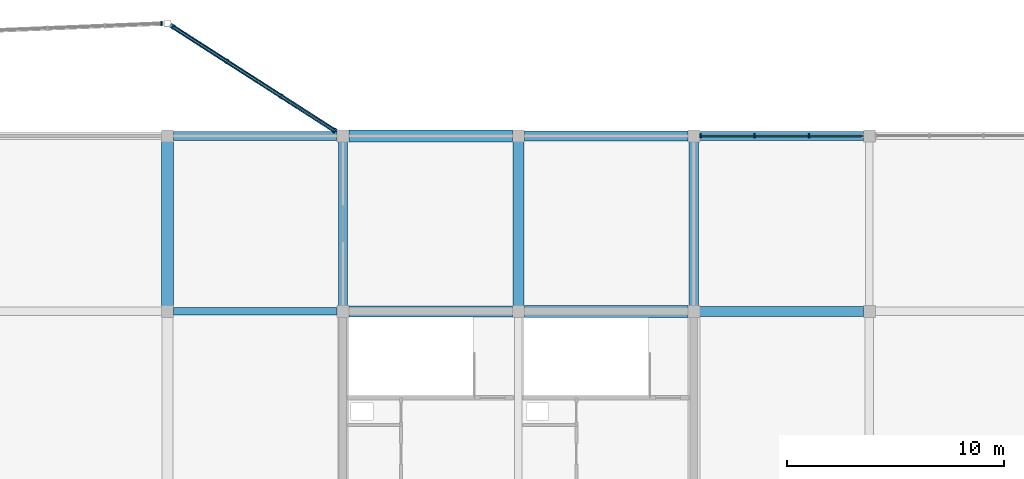
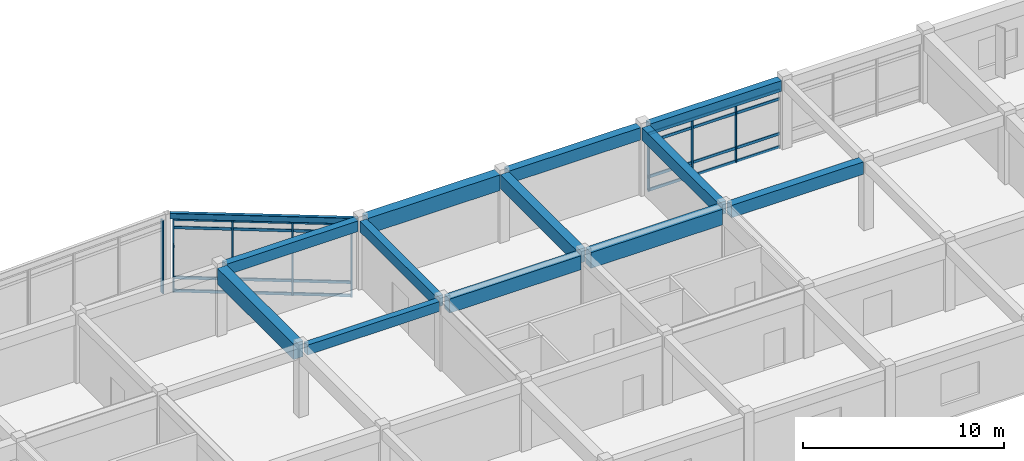
# One storey, part 12 of 40: 16 members, 13 beams, 3 elements without a shape of their own.
"""IFC4 building model written with IfcOpenShell, lengths in metres."""

from ifc_helpers import new_model, si_unit, direction, frame, origin, origin_2d, place, context, subcontext, project, spatial, rectangle, hollow_rectangle, extrude, material, layer, layer_set, material_profile, profile_set, type_object, element, aggregate, save


model = new_model("IFC4")

# Units and contexts
model_context = context("Model", 3, precision=1e-05, world=origin(), true_north=direction((0.0, 1.0)))
body_context = subcontext(model_context, "Body", "Model", "MODEL_VIEW")
ifc_project = project(units=[si_unit("LENGTHUNIT", "METRE"), si_unit("AREAUNIT", "SQUARE_METRE"), si_unit("VOLUMEUNIT", "CUBIC_METRE"), si_unit("PLANEANGLEUNIT", "RADIAN"), si_unit("MASSUNIT", "GRAM", prefix="KILO")], contexts=[model_context])

# Site, building, storey
site_placement = place(None, origin())
site = spatial("IfcSite", under=ifc_project, at=site_placement, CompositionType="ELEMENT")
building_placement = place(site_placement, origin())
building = spatial("IfcBuilding", under=site, at=building_placement, Name="Vaudrelin Polytechnic", CompositionType="ELEMENT")
storey_placement = place(building_placement, frame((0.0, 0.0, 22.949951171875)))
storey = spatial("IfcBuildingStorey", under=building, at=storey_placement, Name="L05", CompositionType="ELEMENT", Elevation=22.949951171875)

# Beams
ifc_material_1 = material(Name="Concrete 40 MPa", Category="concrete")
ifc_material_profile_1 = material_profile(ifc_material_1, rectangle(XDim=0.35009765625, YDim=0.60009765625, at=origin_2d()), Name="RC350x600")
ifc_profile_set_1 = profile_set([ifc_material_profile_1], Name="Concrete 40 MPa")
beam_type_1 = type_object("IfcBeamType", Name="BM-BM-RC3560", PredefinedType="BEAM", material=ifc_profile_set_1)
beam_1_placement = place(storey_placement, frame((97.470947265625, 113.39990234375, 3.860107421875), z_axis=(1.0, 0.0, 0.0), x_axis=(0.0, 1.0, 0.0)))
element("IfcBeam", 1, at=beam_1_placement, inside=storey, type_object=beam_type_1, Name="L05 X-beam 13-15", PredefinedType="BEAM", context=body_context, shape_type="SweptSolid", body=[
    extrude(rectangle(XDim=0.35009765625, YDim=0.60009765625, at=origin_2d()), origin(), (0.0, 0.0, 1.0), 7.55810546875),
])
ifc_material_profile_2 = material_profile(ifc_material_1, rectangle(XDim=0.39990234375, YDim=0.64990234375, at=origin_2d()), Name="RC400x650")
ifc_profile_set_2 = profile_set([ifc_material_profile_2], Name="Concrete 40 MPa")
beam_type_2 = type_object("IfcBeamType", Name="BM-BM-RC4065", PredefinedType="BEAM", material=ifc_profile_set_2)
beam_2_placement = place(storey_placement, frame((105.300048828125, 113.659912109375, 3.8349609375), z_axis=(0.0, 1.0, 0.0), x_axis=(-1.0, 0.0, 0.0)))
element("IfcBeam", 2, at=beam_2_placement, inside=storey, type_object=beam_type_2, Name="L05 Y-beam 14-15", PredefinedType="BEAM", context=body_context, shape_type="SweptSolid", body=[
    extrude(rectangle(XDim=0.39990234375, YDim=0.64990234375, at=origin_2d()), origin(), (0.0, 0.0, 1.0), 7.580078125),
])
ifc_material_profile_3 = material_profile(ifc_material_1, rectangle(XDim=0.449951171875, YDim=0.75, at=origin_2d()), Name="RC450x750")
ifc_profile_set_3 = profile_set([ifc_material_profile_3], Name="Concrete 40 MPa")
beam_type_3 = type_object("IfcBeamType", Name="BM-BM-RC4575", PredefinedType="BEAM", material=ifc_profile_set_3)
beam_3_placement = place(storey_placement, frame((121.5, 113.659912109375, 3.78515625), z_axis=(0.0, 1.0, 0.0), x_axis=(-1.0, 0.0, 0.0)))
element("IfcBeam", 3, at=beam_3_placement, inside=storey, type_object=beam_type_3, Name="L05 Y-beam 16-15", PredefinedType="BEAM", context=body_context, shape_type="SweptSolid", body=[
    extrude(rectangle(XDim=0.449951171875, YDim=0.75, at=origin_2d()), origin(), (0.0, 0.0, 1.0), 7.580078125),
])
for number, where, z_axis, x_axis, name in (
    (4, (113.6708984375, 121.5, 3.78515625), (1.0, 0.0, 0.0), (0.0, 1.0, 0.0), "L05 X-beam 15-16"),
    (5, (121.77099609375, 113.39990234375, 3.78515625), (1.0, 0.0, 0.0), (0.0, 1.0, 0.0), "L05 X-beam 16-15"),
):
    element("IfcBeam", number, at=place(storey_placement, frame(where, z_axis=z_axis, x_axis=x_axis)), inside=storey, type_object=beam_type_3, Name=name, PredefinedType="BEAM", context=body_context, shape_type="SweptSolid", body=[
        extrude(rectangle(XDim=0.449951171875, YDim=0.75, at=origin_2d()), origin(), (0.0, 0.0, 1.0), 7.55810546875),
    ])
ifc_material_profile_4 = material_profile(ifc_material_1, rectangle(XDim=0.5, YDim=0.85009765625, at=origin_2d()), Name="RC500x850")
ifc_profile_set_4 = profile_set([ifc_material_profile_4], Name="Concrete 40 MPa")
beam_type_4 = type_object("IfcBeamType", Name="BM-BM-RC5085", PredefinedType="BEAM", material=ifc_profile_set_4)
beam_4_placement = place(storey_placement, frame((113.39990234375, 113.659912109375, 3.735107421875), z_axis=(0.0, 1.0, 0.0), x_axis=(-1.0, 0.0, 0.0)))
element("IfcBeam", 6, at=beam_4_placement, inside=storey, type_object=beam_type_4, Name="L05 Y-beam 15-15", PredefinedType="BEAM", context=body_context, shape_type="SweptSolid", body=[
    extrude(rectangle(XDim=0.5, YDim=0.85009765625, at=origin_2d()), origin(), (0.0, 0.0, 1.0), 7.580078125),
])
beam_5_placement = place(storey_placement, frame((105.571044921875, 113.39990234375, 3.735107421875), z_axis=(1.0, 0.0, 0.0), x_axis=(0.0, 1.0, 0.0)))
element("IfcBeam", 7, at=beam_5_placement, inside=storey, type_object=beam_type_4, Name="L05 X-beam 14-15", PredefinedType="BEAM", context=body_context, shape_type="SweptSolid", body=[
    extrude(rectangle(XDim=0.5, YDim=0.85009765625, at=origin_2d()), origin(), (0.0, 0.0, 1.0), 7.557861328125),
])
ifc_material_2 = material(Name="Concrete 50 MPa", Category="concrete")
ifc_material_profile_5 = material_profile(ifc_material_2, rectangle(XDim=0.550048828125, YDim=0.949951171875, at=origin_2d()), Name="RC550x950")
ifc_profile_set_5 = profile_set([ifc_material_profile_5], Name="Concrete 50 MPa")
beam_type_5 = type_object("IfcBeamType", Name="BM-BM-RC5595", PredefinedType="BEAM", material=ifc_profile_set_5)
beam_6_placement = place(storey_placement, frame((97.199951171875, 113.659912109375, 3.68505859375), z_axis=(0.0, 1.0, 0.0), x_axis=(-1.0, 0.0, 0.0)))
element("IfcBeam", 8, at=beam_6_placement, inside=storey, type_object=beam_type_5, Name="L05 Y-beam 13-15", PredefinedType="BEAM", context=body_context, shape_type="SweptSolid", body=[
    extrude(rectangle(XDim=0.550048828125, YDim=0.949951171875, at=origin_2d()), origin(), (0.0, 0.0, 1.0), 7.580078125),
])
beam_7_placement = place(storey_placement, frame((105.571044921875, 121.5, 3.68505859375), z_axis=(1.0, 0.0, 0.0), x_axis=(0.0, 1.0, 0.0)))
element("IfcBeam", 9, at=beam_7_placement, inside=storey, type_object=beam_type_5, Name="L05 X-beam 14-16", PredefinedType="BEAM", context=body_context, shape_type="SweptSolid", body=[
    extrude(rectangle(XDim=0.550048828125, YDim=0.949951171875, at=origin_2d()), origin(), (0.0, 0.0, 1.0), 7.557861328125),
])
beam_8_placement = place(storey_placement, frame((113.6708984375, 113.39990234375, 3.68505859375), z_axis=(1.0, 0.0, 0.0), x_axis=(0.0, 1.0, 0.0)))
element("IfcBeam", 10, at=beam_8_placement, inside=storey, type_object=beam_type_5, Name="L05 X-beam 15-15", PredefinedType="BEAM", context=body_context, shape_type="SweptSolid", body=[
    extrude(rectangle(XDim=0.550048828125, YDim=0.949951171875, at=origin_2d()), origin(), (0.0, 0.0, 1.0), 7.55810546875),
])
ifc_material_3 = material(Name="Steel CSA G40.21 350WT", Category="steel")
ifc_material_profile_6 = material_profile(ifc_material_3, hollow_rectangle(XDim=0.202880859375, YDim=0.35595703125, WallThickness=0.0126953125, InnerFilletRadius=0.0126953125, OuterFilletRadius=0.025390625, at=origin_2d()), Name="HSS356x203x12.7")
ifc_profile_set_6 = profile_set([ifc_material_profile_6], Name="Steel CSA G40.21 350WT")
beam_type_6 = type_object("IfcBeamType", Name="BM-SP-HSS35", PredefinedType="SPANDREL", material=ifc_profile_set_6)
beam_9_placement = place(storey_placement, frame((97.31787109375, 126.62451171875, 3.98193359375), z_axis=(0.84150765207, -0.540245195729, 0.0), x_axis=(0.540245195729, 0.84150765207, 0.0)))
element("IfcBeam", 11, at=beam_9_placement, inside=storey, type_object=beam_type_6, Name="Sculptural edge beam L05 N_OR2_B3", PredefinedType="SPANDREL", context=body_context, shape_type="SweptSolid", body=[
    extrude(hollow_rectangle(XDim=0.202880859375, YDim=0.35595703125, WallThickness=0.0126953125, InnerFilletRadius=0.0126953125, OuterFilletRadius=0.025390625, at=origin_2d()), origin(), (0.0, 0.0, 1.0), 9.345458984375),
])
ifc_material_profile_7 = material_profile(ifc_material_1, rectangle(XDim=0.39990234375, YDim=0.64990234375, at=origin_2d()), Name="RC400x650")
ifc_profile_set_7 = profile_set([ifc_material_profile_7], Name="Concrete 40 MPa")
beam_type_7 = type_object("IfcBeamType", Name="BM-SP-RC4065", PredefinedType="SPANDREL", material=ifc_profile_set_7)
for number, where, z_axis, x_axis, name in (
    (12, (97.470947265625, 121.5, 3.8349609375), (1.0, 0.0, 0.0), (0.0, 1.0, 0.0), "L05 X-beam 13-16"),
    (13, (121.77099609375, 121.5, 3.8349609375), (1.0, 0.0, 0.0), (0.0, 1.0, 0.0), "L05 X-beam 16-16"),
):
    element("IfcBeam", number, at=place(storey_placement, frame(where, z_axis=z_axis, x_axis=x_axis)), inside=storey, type_object=beam_type_7, Name=name, PredefinedType="SPANDREL", context=body_context, shape_type="SweptSolid", body=[
        extrude(rectangle(XDim=0.39990234375, YDim=0.64990234375, at=origin_2d()), origin(), (0.0, 0.0, 1.0), 7.55810546875),
    ])

# Curtain wall, members
ifc_material_4 = material(Name="Thermally broken anodised aluminium AA 6063-T6 and low-e triple glazing", Category="aluminium")
ifc_layer = layer(ifc_material_4, 0.199951171875)
ifc_layer_set = layer_set([ifc_layer], Name="Thermally broken anodised aluminium AA 6063-T6 and low-e triple glazing")
curtain_wall_type = type_object("IfcCurtainWallType", Name="CW-CW-STU", PredefinedType="USERDEFINED", material=ifc_layer_set)
curtain_wall_1_placement = place(storey_placement, origin())
curtain_wall_1 = element("IfcCurtainWall", 14, at=curtain_wall_1_placement, inside=storey, type_object=curtain_wall_type, Name="Curtain wall L05 N_V5_13", ObjectType="CURTAIN WALL", PredefinedType="USERDEFINED")
ifc_material_5 = material(Name="Anodised aluminium AA 6063-T6", Category="aluminium")
ifc_material_profile_8 = material_profile(ifc_material_5, rectangle(XDim=0.06494140625, YDim=0.179931640625, at=origin_2d()), Name="CWM-65x180")
ifc_profile_set_8 = profile_set([ifc_material_profile_8], Name="Anodised aluminium AA 6063-T6")
member_type_1 = type_object("IfcMemberType", Name="MEM-CWM-180", PredefinedType="MULLION", material=ifc_profile_set_8)
member_1_placement = place(storey_placement, frame((121.81298828125, 121.5, 0.0), z_axis=(0.0, 0.0, 1.0), x_axis=(1.0, 0.0, 0.0)))
member_1 = element("IfcMember", 15, at=member_1_placement, type_object=member_type_1, Name="N_V5_13 mullion 1", PredefinedType="MULLION", context=body_context, shape_type="SweptSolid", body=[
    extrude(rectangle(XDim=0.06494140625, YDim=0.179931640625, at=origin_2d()), origin(), (0.0, 0.0, 1.0), 3.511962890625),
])
member_2_placement = place(storey_placement, frame((124.291015625, 121.5, 0.0), z_axis=(0.0, 0.0, 1.0), x_axis=(1.0, 0.0, 0.0)))
member_2 = element("IfcMember", 16, at=member_2_placement, type_object=member_type_1, Name="N_V5_13 mullion 2", PredefinedType="MULLION", context=body_context, shape_type="SweptSolid", body=[
    extrude(rectangle(XDim=0.06494140625, YDim=0.179931640625, at=origin_2d()), origin(), (0.0, 0.0, 1.0), 3.511962890625),
])
member_3_placement = place(storey_placement, frame((126.80908203125, 121.5, 0.0), z_axis=(0.0, 0.0, 1.0), x_axis=(1.0, 0.0, 0.0)))
member_3 = element("IfcMember", 17, at=member_3_placement, type_object=member_type_1, Name="N_V5_13 mullion 3", PredefinedType="MULLION", context=body_context, shape_type="SweptSolid", body=[
    extrude(rectangle(XDim=0.06494140625, YDim=0.179931640625, at=origin_2d()), origin(), (0.0, 0.0, 1.0), 3.511962890625),
])

# Curtain wall, member
curtain_wall_2_placement = place(storey_placement, origin())
curtain_wall_2 = element("IfcCurtainWall", 18, at=curtain_wall_2_placement, inside=storey, type_object=curtain_wall_type, Name="Curtain wall L05 N_OR2_2_2", ObjectType="CURTAIN WALL", PredefinedType="USERDEFINED")
ifc_material_profile_9 = material_profile(ifc_material_5, rectangle(XDim=0.074951171875, YDim=0.219970703125, at=origin_2d()), Name="CWM-75x220")
ifc_profile_set_9 = profile_set([ifc_material_profile_9], Name="Anodised aluminium AA 6063-T6")
member_type_2 = type_object("IfcMemberType", Name="MEM-CWM-220", PredefinedType="MULLION", material=ifc_profile_set_9)
member_4_placement = place(storey_placement, frame((96.922607421875, 126.688720703125, -0.6298828125), z_axis=(0.0, 0.0, 1.0), x_axis=(0.999154417424, 0.041115084128, 0.0)))
member_4 = element("IfcMember", 19, at=member_4_placement, type_object=member_type_2, Name="N_OR2_2_2 mullion 4", PredefinedType="MULLION", context=body_context, shape_type="SweptSolid", body=[
    extrude(rectangle(XDim=0.074951171875, YDim=0.219970703125, at=origin_2d()), origin(), (0.0, 0.0, 1.0), 4.43994140625),
])
aggregate(curtain_wall_2, [member_4])

# Curtain wall, members
curtain_wall_3_placement = place(storey_placement, origin())
curtain_wall_3 = element("IfcCurtainWall", 20, at=curtain_wall_3_placement, inside=storey, type_object=curtain_wall_type, Name="Curtain wall L05 N_OR2_3_0", ObjectType="CURTAIN WALL", PredefinedType="USERDEFINED")
member_5_placement = place(storey_placement, frame((97.457763671875, 126.53466796875, -0.6298828125), z_axis=(0.0, 0.0, 1.0), x_axis=(0.841518560242, -0.540228204344, 0.0)))
member_5 = element("IfcMember", 21, at=member_5_placement, type_object=member_type_2, Name="N_OR2_3_0 mullion 1", PredefinedType="MULLION", context=body_context, shape_type="SweptSolid", body=[
    extrude(rectangle(XDim=0.074951171875, YDim=0.219970703125, at=origin_2d()), origin(), (0.0, 0.0, 1.0), 4.43994140625),
])
member_6_placement = place(storey_placement, frame((99.933837890625, 124.945068359375, -0.6298828125), z_axis=(0.0, 0.0, 1.0), x_axis=(0.841518560242, -0.540228204344, 0.0)))
member_6 = element("IfcMember", 22, at=member_6_placement, type_object=member_type_2, Name="N_OR2_3_0 mullion 2", PredefinedType="MULLION", context=body_context, shape_type="SweptSolid", body=[
    extrude(rectangle(XDim=0.074951171875, YDim=0.219970703125, at=origin_2d()), origin(), (0.0, 0.0, 1.0), 4.43994140625),
])
member_7_placement = place(storey_placement, frame((102.443603515625, 123.333740234375, -0.6298828125), z_axis=(0.0, 0.0, 1.0), x_axis=(0.841518560242, -0.540228204344, 0.0)))
member_7 = element("IfcMember", 23, at=member_7_placement, type_object=member_type_2, Name="N_OR2_3_0 mullion 3", PredefinedType="MULLION", context=body_context, shape_type="SweptSolid", body=[
    extrude(rectangle(XDim=0.074951171875, YDim=0.219970703125, at=origin_2d()), origin(), (0.0, 0.0, 1.0), 4.43994140625),
])
member_8_placement = place(storey_placement, frame((104.919921875, 121.744140625, -0.6298828125), z_axis=(0.0, 0.0, 1.0), x_axis=(0.841518560242, -0.540228204344, 0.0)))
member_8 = element("IfcMember", 24, at=member_8_placement, type_object=member_type_2, Name="N_OR2_3_0 mullion 4", PredefinedType="MULLION", context=body_context, shape_type="SweptSolid", body=[
    extrude(rectangle(XDim=0.074951171875, YDim=0.219970703125, at=origin_2d()), origin(), (0.0, 0.0, 1.0), 4.43994140625),
])

# Member
ifc_material_profile_10 = material_profile(ifc_material_5, rectangle(XDim=0.074951171875, YDim=0.1650390625, at=origin_2d()), Name="CWT-75x165")
ifc_profile_set_10 = profile_set([ifc_material_profile_10], Name="Anodised aluminium AA 6063-T6")
member_type_3 = type_object("IfcMemberType", Name="MEM-CWT-165", PredefinedType="USERDEFINED", material=ifc_profile_set_10)
member_9_placement = place(storey_placement, frame((121.77294921875, 121.5, 0.050048828125), z_axis=(1.0, 0.0, 0.0), x_axis=(0.0, 1.0, 0.0)))
member_9 = element("IfcMember", 25, at=member_9_placement, type_object=member_type_3, Name="N_V5_13 transom 1", ObjectType="TRANSOM", PredefinedType="USERDEFINED", context=body_context, shape_type="SweptSolid", body=[
    extrude(rectangle(XDim=0.074951171875, YDim=0.1650390625, at=origin_2d()), origin(), (0.0, 0.0, 1.0), 7.553955078125),
])

member_10_placement = place(storey_placement, frame((121.77294921875, 121.5, 0.85009765625), z_axis=(1.0, 0.0, 0.0), x_axis=(0.0, 1.0, 0.0)))
member_10 = element("IfcMember", 26, at=member_10_placement, type_object=member_type_3, Name="N_V5_13 transom 2", ObjectType="TRANSOM", PredefinedType="USERDEFINED", context=body_context, shape_type="SweptSolid", body=[
    extrude(rectangle(XDim=0.074951171875, YDim=0.1650390625, at=origin_2d()), origin(), (0.0, 0.0, 1.0), 7.553955078125),
])

member_11_placement = place(storey_placement, frame((121.77294921875, 121.5, 2.962158203125), z_axis=(1.0, 0.0, 0.0), x_axis=(0.0, 1.0, 0.0)))
member_11 = element("IfcMember", 27, at=member_11_placement, type_object=member_type_3, Name="N_V5_13 transom 3", ObjectType="TRANSOM", PredefinedType="USERDEFINED", context=body_context, shape_type="SweptSolid", body=[
    extrude(rectangle(XDim=0.074951171875, YDim=0.1650390625, at=origin_2d()), origin(), (0.0, 0.0, 1.0), 7.553955078125),
])

member_12_placement = place(storey_placement, frame((121.77294921875, 121.5, 3.462158203125), z_axis=(1.0, 0.0, 0.0), x_axis=(0.0, 1.0, 0.0)))
member_12 = element("IfcMember", 28, at=member_12_placement, type_object=member_type_3, Name="N_V5_13 transom 4", ObjectType="TRANSOM", PredefinedType="USERDEFINED", context=body_context, shape_type="SweptSolid", body=[
    extrude(rectangle(XDim=0.074951171875, YDim=0.1650390625, at=origin_2d()), origin(), (0.0, 0.0, 1.0), 7.553955078125),
])

aggregate(curtain_wall_1, [member_1, member_2, member_3, member_9, member_10, member_11, member_12])

member_13_placement = place(storey_placement, frame((97.424072265625, 126.55615234375, -0.579833984375), z_axis=(0.841517853817, -0.540229304747, 0.0), x_axis=(0.540229304747, 0.841517853817, 0.0)))
member_13 = element("IfcMember", 29, at=member_13_placement, type_object=member_type_3, Name="N_OR2_3_0 transom 1", ObjectType="TRANSOM", PredefinedType="USERDEFINED", context=body_context, shape_type="SweptSolid", body=[
    extrude(rectangle(XDim=0.074951171875, YDim=0.1650390625, at=origin_2d()), origin(), (0.0, 0.0, 1.0), 8.947509765625),
])

member_14_placement = place(storey_placement, frame((97.424072265625, 126.55615234375, 0.219970703125), z_axis=(0.841517853817, -0.540229304747, 0.0), x_axis=(0.540229304747, 0.841517853817, 0.0)))
member_14 = element("IfcMember", 30, at=member_14_placement, type_object=member_type_3, Name="N_OR2_3_0 transom 2", ObjectType="TRANSOM", PredefinedType="USERDEFINED", context=body_context, shape_type="SweptSolid", body=[
    extrude(rectangle(XDim=0.074951171875, YDim=0.1650390625, at=origin_2d()), origin(), (0.0, 0.0, 1.0), 8.947509765625),
])

member_15_placement = place(storey_placement, frame((97.424072265625, 126.55615234375, 3.260009765625), z_axis=(0.841517853817, -0.540229304747, 0.0), x_axis=(0.540229304747, 0.841517853817, 0.0)))
member_15 = element("IfcMember", 31, at=member_15_placement, type_object=member_type_3, Name="N_OR2_3_0 transom 3", ObjectType="TRANSOM", PredefinedType="USERDEFINED", context=body_context, shape_type="SweptSolid", body=[
    extrude(rectangle(XDim=0.074951171875, YDim=0.1650390625, at=origin_2d()), origin(), (0.0, 0.0, 1.0), 8.947509765625),
])

member_16_placement = place(storey_placement, frame((97.424072265625, 126.55615234375, 3.760009765625), z_axis=(0.841517853817, -0.540229304747, 0.0), x_axis=(0.540229304747, 0.841517853817, 0.0)))
member_16 = element("IfcMember", 32, at=member_16_placement, type_object=member_type_3, Name="N_OR2_3_0 transom 4", ObjectType="TRANSOM", PredefinedType="USERDEFINED", context=body_context, shape_type="SweptSolid", body=[
    extrude(rectangle(XDim=0.074951171875, YDim=0.1650390625, at=origin_2d()), origin(), (0.0, 0.0, 1.0), 8.947509765625),
])

aggregate(curtain_wall_3, [member_5, member_6, member_7, member_8, member_13, member_14, member_15, member_16])

save(model, "model.ifc")
